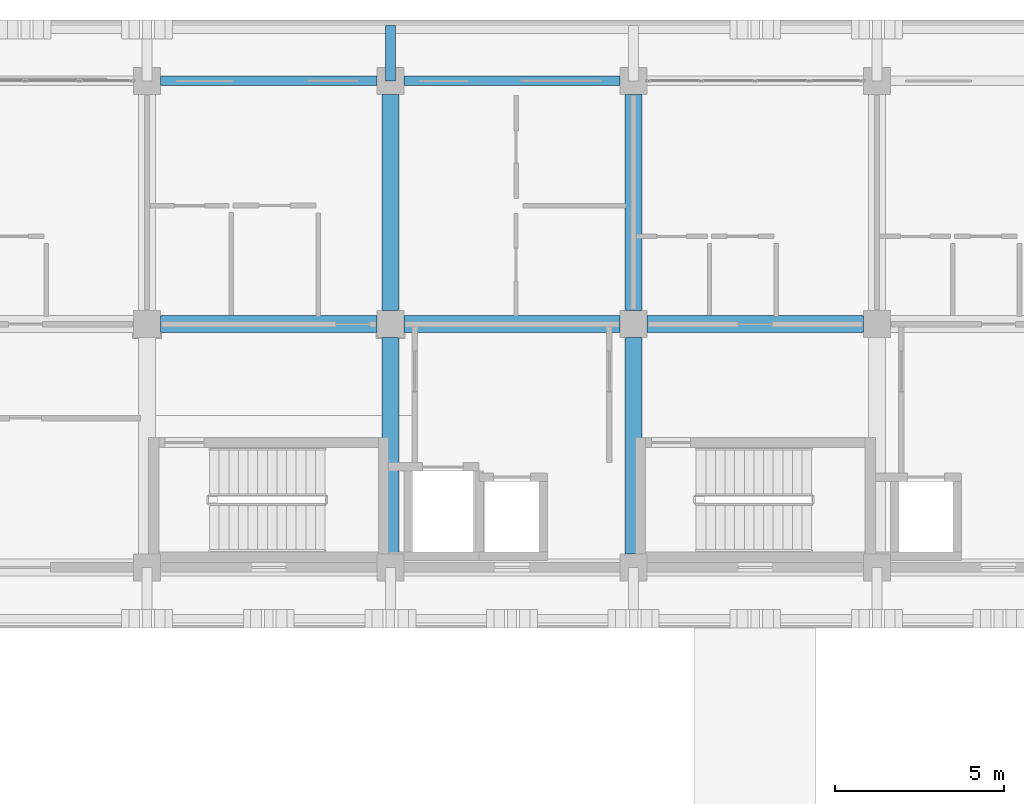
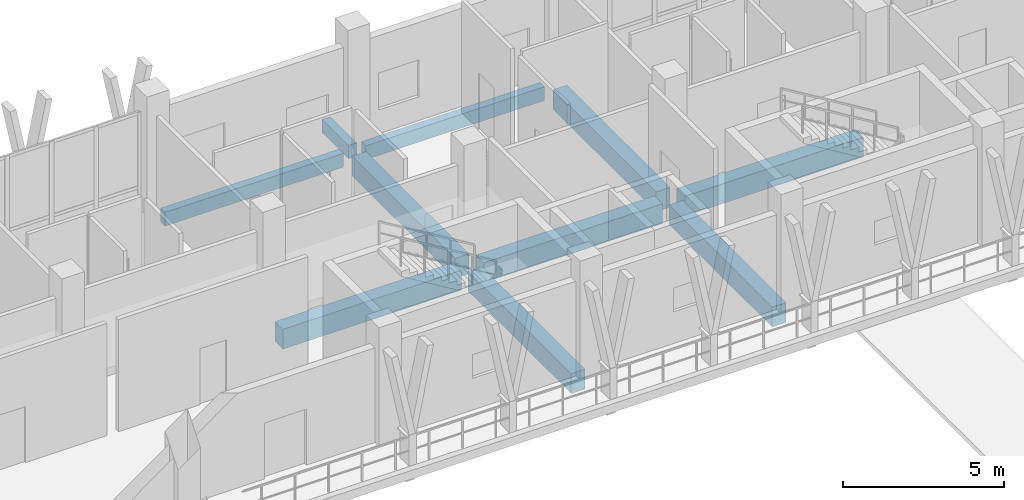
# One storey, part 30 of 110: 10 beams.
"""IFC4 building model written with IfcOpenShell, lengths in metres."""

from ifc_helpers import new_model, si_unit, direction, frame, origin, origin_2d, place, context, subcontext, project, spatial, rectangle, extrude, material, material_profile, profile_set, type_object, element, save


model = new_model("IFC4")

# Units and contexts
model_context = context("Model", 3, precision=1e-05, world=origin(), true_north=direction((0.0, 1.0)))
body_context = subcontext(model_context, "Body", "Model", "MODEL_VIEW")
ifc_project = project(units=[si_unit("LENGTHUNIT", "METRE"), si_unit("AREAUNIT", "SQUARE_METRE"), si_unit("VOLUMEUNIT", "CUBIC_METRE"), si_unit("PLANEANGLEUNIT", "RADIAN"), si_unit("MASSUNIT", "GRAM", prefix="KILO")], contexts=[model_context])

# Site, building, storey
site_placement = place(None, origin())
site = spatial("IfcSite", under=ifc_project, at=site_placement, CompositionType="ELEMENT")
building_placement = place(site_placement, origin())
building = spatial("IfcBuilding", under=site, at=building_placement, Name="Suanplinth Sawtooth Commons", CompositionType="ELEMENT")
storey_placement = place(building_placement, frame((0.0, 0.0, 4.5)))
storey = spatial("IfcBuildingStorey", under=building, at=storey_placement, Name="L01", CompositionType="ELEMENT", Elevation=4.5)

# Beams
ifc_material_1 = material(Name="Concrete C40/50", Category="concrete")
ifc_material_profile_1 = material_profile(ifc_material_1, rectangle(XDim=0.5, YDim=0.75, at=origin_2d()), Name="RC-GDR 500x750")
ifc_profile_set_1 = profile_set([ifc_material_profile_1], Name="Concrete C40/50")
beam_type_1 = type_object("IfcBeamType", Name="B-03", PredefinedType="USERDEFINED", material=ifc_profile_set_1)
for number, where, z_axis, x_axis, name in (
    (1, (43.60009765625, 115.199951171875, -0.675048828125), (1.0, 0.0, 0.0), (0.0, 1.0, 0.0), "BMX-L01-A-6-16"),
    (2, (50.800048828125, 115.199951171875, -0.675048828125), (1.0, 0.0, 0.0), (0.0, 1.0, 0.0), "BMX-L01-A-7-16"),
    (3, (58.0, 115.199951171875, -0.675048828125), (1.0, 0.0, 0.0), (0.0, 1.0, 0.0), "BMX-L01-A-8-16"),
):
    element("IfcBeam", number, at=place(storey_placement, frame(where, z_axis=z_axis, x_axis=x_axis)), inside=storey, type_object=beam_type_1, Name=name, ObjectType="GIRDER", PredefinedType="USERDEFINED", context=body_context, shape_type="SweptSolid", body=[
        extrude(rectangle(XDim=0.5, YDim=0.75, at=origin_2d()), origin(), (0.0, 0.0, 1.0), 6.39990234375),
    ])
beam_1_placement = place(storey_placement, frame((50.39990234375, 108.39990234375, -0.675048828125), z_axis=(0.0, 1.0, 0.0), x_axis=(-1.0, 0.0, 0.0)))
element("IfcBeam", 4, at=beam_1_placement, inside=storey, type_object=beam_type_1, Name="BMY-L01-A-7-15", ObjectType="GIRDER", PredefinedType="USERDEFINED", context=body_context, shape_type="SweptSolid", body=[
    extrude(rectangle(XDim=0.5, YDim=0.75, at=origin_2d()), origin(), (0.0, 0.0, 1.0), 6.400146484375),
])
beam_2_placement = place(storey_placement, frame((50.39990234375, 115.60009765625, -0.675048828125), z_axis=(0.0, 1.0, 0.0), x_axis=(-1.0, 0.0, 0.0)))
element("IfcBeam", 5, at=beam_2_placement, inside=storey, type_object=beam_type_1, Name="BMY-L01-A-7-16", ObjectType="GIRDER", PredefinedType="USERDEFINED", context=body_context, shape_type="SweptSolid", body=[
    extrude(rectangle(XDim=0.5, YDim=0.75, at=origin_2d()), origin(), (0.0, 0.0, 1.0), 6.39990234375),
])
beam_3_placement = place(storey_placement, frame((57.60009765625, 108.39990234375, -0.675048828125), z_axis=(0.0, 1.0, 0.0), x_axis=(-1.0, 0.0, 0.0)))
element("IfcBeam", 6, at=beam_3_placement, inside=storey, type_object=beam_type_1, Name="BMY-L01-A-8-15", ObjectType="GIRDER", PredefinedType="USERDEFINED", context=body_context, shape_type="SweptSolid", body=[
    extrude(rectangle(XDim=0.5, YDim=0.75, at=origin_2d()), origin(), (0.0, 0.0, 1.0), 6.400146484375),
])
beam_4_placement = place(storey_placement, frame((57.60009765625, 115.60009765625, -0.675048828125), z_axis=(0.0, 1.0, 0.0), x_axis=(-1.0, 0.0, 0.0)))
element("IfcBeam", 7, at=beam_4_placement, inside=storey, type_object=beam_type_1, Name="BMY-L01-A-8-16", ObjectType="GIRDER", PredefinedType="USERDEFINED", context=body_context, shape_type="SweptSolid", body=[
    extrude(rectangle(XDim=0.5, YDim=0.75, at=origin_2d()), origin(), (0.0, 0.0, 1.0), 6.39990234375),
])
ifc_material_2 = material(Name="Precast concrete C40/50", Category="concrete")
ifc_material_profile_2 = material_profile(ifc_material_2, rectangle(XDim=0.300048828125, YDim=0.5, at=origin_2d()), Name="PC-BM 300x500")
ifc_profile_set_2 = profile_set([ifc_material_profile_2], Name="Precast concrete C40/50")
beam_type_2 = type_object("IfcBeamType", Name="B-07", PredefinedType="BEAM", material=ifc_profile_set_2)
beam_5_placement = place(storey_placement, frame((50.39990234375, 122.39990234375, -0.429931640625), z_axis=(0.0, 1.0, 0.0), x_axis=(-1.0, 0.0, 0.0)))
element("IfcBeam", 8, at=beam_5_placement, inside=storey, type_object=beam_type_2, Name="Balcony Outrigger L01-A-N-7", PredefinedType="BEAM", context=body_context, shape_type="SweptSolid", body=[
    extrude(rectangle(XDim=0.300048828125, YDim=0.5, at=origin_2d()), origin(), (0.0, 0.0, 1.0), 1.64013671875),
])
ifc_material_profile_3 = material_profile(ifc_material_2, rectangle(XDim=0.280029296875, YDim=0.52001953125, at=origin_2d()), Name="PC-SP 280x520")
ifc_profile_set_3 = profile_set([ifc_material_profile_3], Name="Precast concrete C40/50")
beam_type_3 = type_object("IfcBeamType", Name="B-08", PredefinedType="SPANDREL", material=ifc_profile_set_3)
for number, where, z_axis, x_axis, name in (
    (9, (43.60009765625, 122.39990234375, -0.56005859375), (1.0, 0.0, 0.0), (0.0, 1.0, 0.0), "BMX-L01-A-6-17"),
    (10, (50.800048828125, 122.39990234375, -0.56005859375), (1.0, 0.0, 0.0), (0.0, 1.0, 0.0), "BMX-L01-A-7-17"),
):
    element("IfcBeam", number, at=place(storey_placement, frame(where, z_axis=z_axis, x_axis=x_axis)), inside=storey, type_object=beam_type_3, Name=name, PredefinedType="SPANDREL", context=body_context, shape_type="SweptSolid", body=[
        extrude(rectangle(XDim=0.280029296875, YDim=0.52001953125, at=origin_2d()), origin(), (0.0, 0.0, 1.0), 6.39990234375),
    ])

save(model, "model.ifc")
